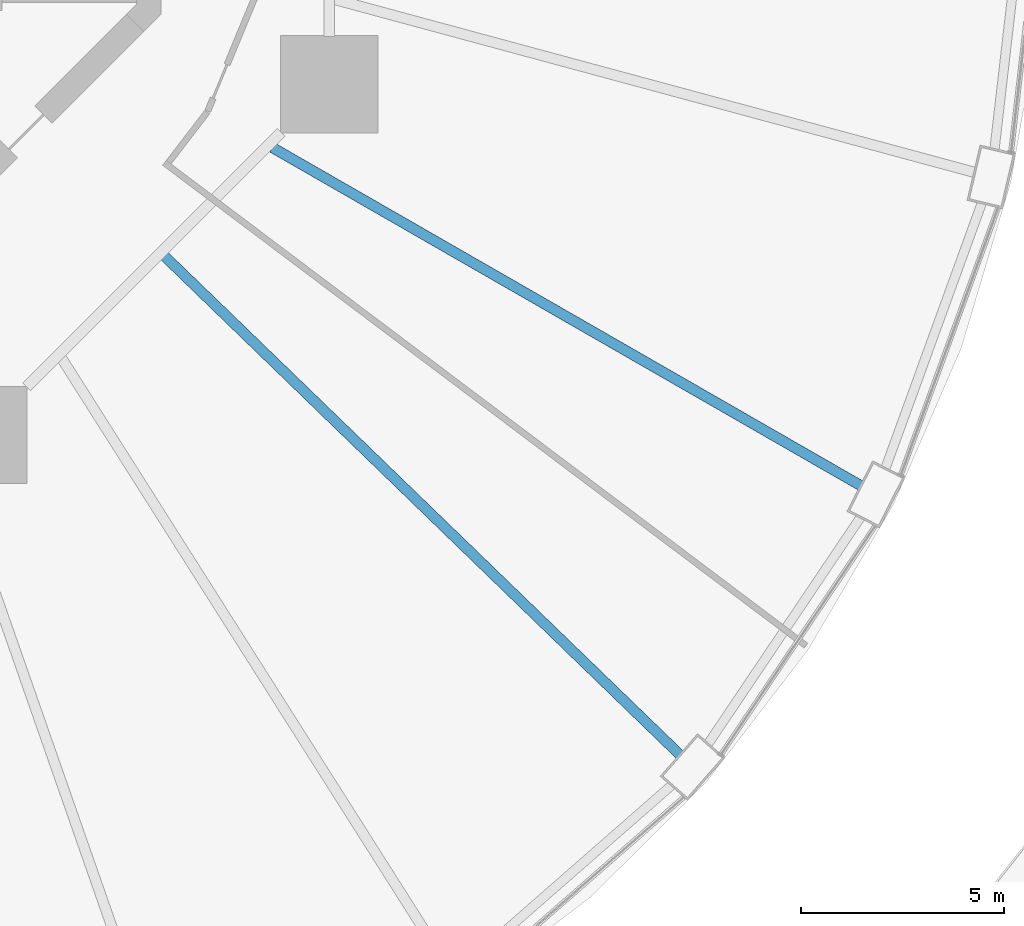
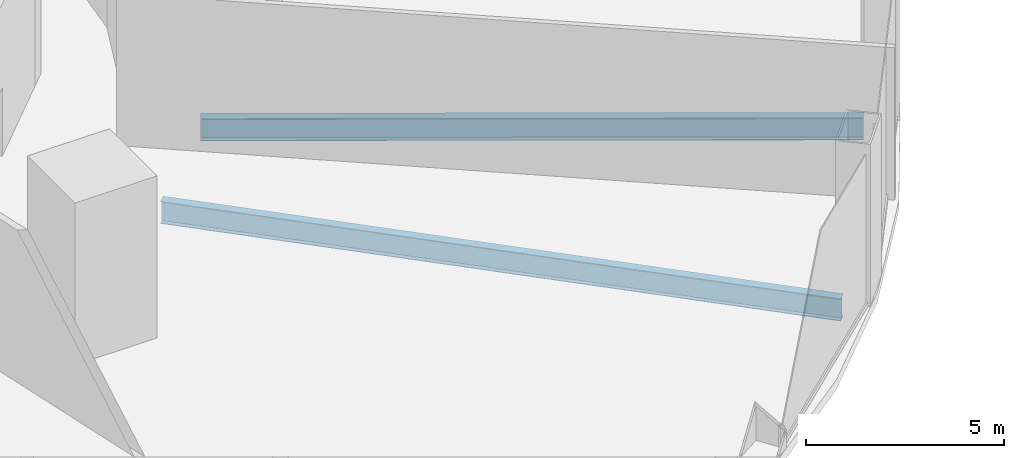
# One storey, part 14 of 47: 2 beams.
"""IFC4 building model written with IfcOpenShell, lengths in metres."""

from ifc_helpers import new_model, si_unit, direction, frame, origin, origin_2d, place, context, subcontext, project, spatial, i_section, extrude, material, material_profile, profile_set, type_object, element, save


model = new_model("IFC4")

# Units and contexts
model_context = context("Model", 3, precision=1e-05, world=origin(), true_north=direction((0.0, 1.0)))
body_context = subcontext(model_context, "Body", "Model", "MODEL_VIEW")
ifc_project = project(units=[si_unit("LENGTHUNIT", "METRE"), si_unit("AREAUNIT", "SQUARE_METRE"), si_unit("VOLUMEUNIT", "CUBIC_METRE"), si_unit("PLANEANGLEUNIT", "RADIAN"), si_unit("MASSUNIT", "GRAM", prefix="KILO")], contexts=[model_context])

# Site, building, storey
site_placement = place(None, origin())
site = spatial("IfcSite", under=ifc_project, at=site_placement, CompositionType="ELEMENT")
building_placement = place(site_placement, origin())
building = spatial("IfcBuilding", under=site, at=building_placement, Name="Nagisa Residences", CompositionType="ELEMENT")
storey_placement = place(building_placement, frame((0.0, 0.0, 7.0)))
storey = spatial("IfcBuildingStorey", under=building, at=storey_placement, Name="L01", CompositionType="ELEMENT", Elevation=7.0)

# Beams
ifc_material = material(Name="Steel ASTM A572 Gr 50", Category="steel")
ifc_material_profile = material_profile(ifc_material, i_section(OverallWidth=0.25390625, OverallDepth=0.68408203125, WebThickness=0.012451171875, FlangeThickness=0.018798828125, at=origin_2d()), Name="W690x140")
ifc_profile_set = profile_set([ifc_material_profile], Name="Steel ASTM A572 Gr 50")
beam_type = type_object("IfcBeamType", Name="Radial beam W690x140", PredefinedType="BEAM", material=ifc_profile_set)
beam_1_placement = place(storey_placement, frame((23.443115234375, -22.681640625, -0.64208984375), z_axis=(-0.718678305776, 0.695342716081, 0.0), x_axis=(-0.695342716081, -0.718678305776, 0.0)))
element("IfcBeam", 1, at=beam_1_placement, inside=storey, type_object=beam_type, Name="beam:L01:rb22", PredefinedType="BEAM", context=body_context, shape_type="SweptSolid", body=[
    extrude(i_section(OverallWidth=0.25390625, OverallDepth=0.68408203125, WebThickness=0.012451171875, FlangeThickness=0.018798828125, at=origin_2d()), origin(), (0.0, 0.0, 1.0), 17.722900390625),
])
beam_2_placement = place(storey_placement, frame((27.908447265625, -16.035400390625, -0.64208984375), z_axis=(-0.867068052258, 0.498189715623, 0.0), x_axis=(-0.498189715623, -0.867068052258, 0.0)))
element("IfcBeam", 2, at=beam_2_placement, inside=storey, type_object=beam_type, Name="beam:L01:rb23", PredefinedType="BEAM", context=body_context, shape_type="SweptSolid", body=[
    extrude(i_section(OverallWidth=0.25390625, OverallDepth=0.68408203125, WebThickness=0.012451171875, FlangeThickness=0.018798828125, at=origin_2d()), origin(), (0.0, 0.0, 1.0), 16.758056640625),
])

save(model, "model.ifc")
